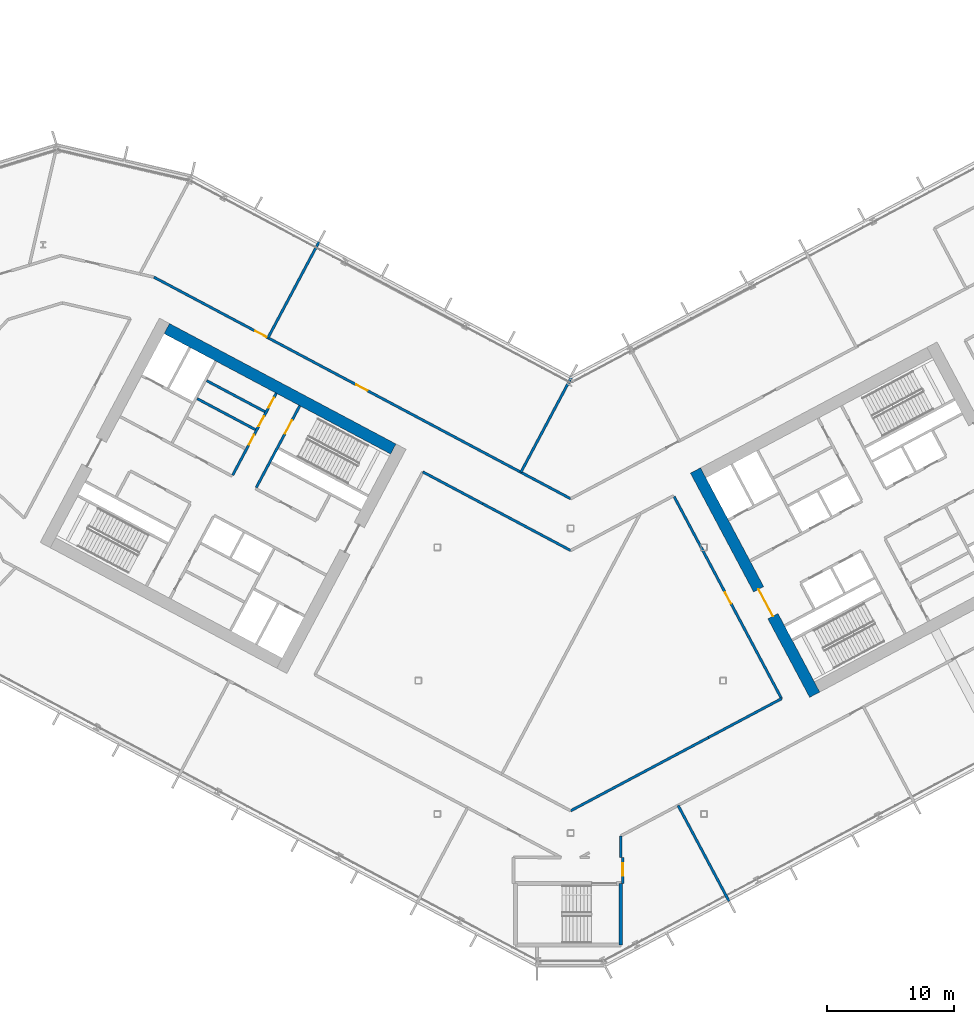
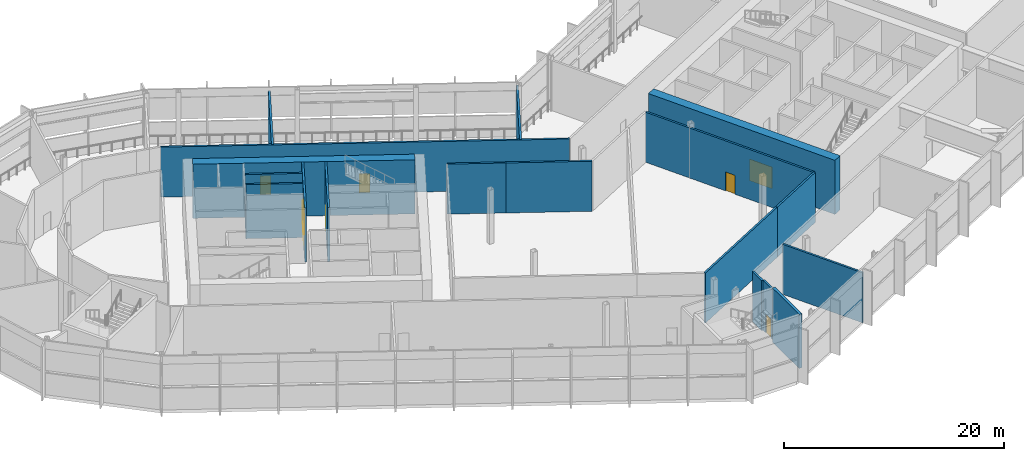
# One storey, part 14 of 33: 18 walls, 9 doors, 9 openings.
"""IFC4 building model written with IfcOpenShell, lengths in metres."""

from ifc_helpers import new_model, si_unit, direction, frame, frame_2d, origin, place, context, subcontext, project, spatial, rectangle, extrude, material, layer, layer_set, type_object, element, fill, save


model = new_model("IFC4")

# Units and contexts
model_context = context("Model", 3, precision=1e-05, world=origin(), true_north=direction((0.0, 1.0)))
body_context = subcontext(model_context, "Body", "Model", "MODEL_VIEW")
ifc_project = project(units=[si_unit("LENGTHUNIT", "METRE"), si_unit("AREAUNIT", "SQUARE_METRE"), si_unit("VOLUMEUNIT", "CUBIC_METRE"), si_unit("PLANEANGLEUNIT", "RADIAN"), si_unit("MASSUNIT", "GRAM", prefix="KILO")], contexts=[model_context])

# Site, building, storey
site_placement = place(None, origin())
site = spatial("IfcSite", under=ifc_project, at=site_placement, CompositionType="ELEMENT")
building_placement = place(site_placement, origin())
building = spatial("IfcBuilding", under=site, at=building_placement, Name="Cormorant Relay Tower", CompositionType="ELEMENT")
storey_placement = place(building_placement, frame((0.0, 0.0, 112.199951171875)))
storey = spatial("IfcBuildingStorey", under=building, at=storey_placement, Name="L22", CompositionType="ELEMENT", Elevation=112.199951171875)

# Walls
ifc_material_1 = material(Name="Concrete 40 MPa", Category="concrete")
ifc_layer_1 = layer(ifc_material_1, 0.199951171875)
ifc_layer_set_1 = layer_set([ifc_layer_1], Name="Core internal wall 200")
wall_type_1 = type_object("IfcWallType", Name="Core internal wall 200", PredefinedType="SOLIDWALL", material=ifc_layer_set_1)
for number, where, z_axis, x_axis, name in (
    (1, (-24.073974609375, 21.181396484375, 0.0), (0.0, 0.0, 1.0), (-0.882953967957, 0.469459572775, 0.0), "L22 core A shaft and room wall"),
    (2, (-24.824951171875, 19.7685546875, 0.0), (0.0, 0.0, 1.0), (-0.882934506056, 0.469496174655, 0.0), "L22 core A shaft and room wall"),
):
    element("IfcWall", number, at=place(storey_placement, frame(where, z_axis=z_axis, x_axis=x_axis)), inside=storey, type_object=wall_type_1, Name=name, PredefinedType="SOLIDWALL", context=body_context, shape_type="SweptSolid", body=[
        extrude(rectangle(XDim=5.199951171875, YDim=0.199951171875, at=frame_2d((2.60009765625, 0.0))), origin(), (0.0, 0.0, 1.0), 6.0),
    ])

# Wall, opening, door
ifc_material_2 = material(Name="Concrete 50 MPa", Category="concrete")
ifc_layer_2 = layer(ifc_material_2, 0.199951171875)
ifc_layer_set_2 = layer_set([ifc_layer_2], Name="Core shaft wall 200")
wall_type_2 = type_object("IfcWallType", Name="Core shaft wall 200", PredefinedType="SHEAR", material=ifc_layer_set_2)
wall_1_placement = place(storey_placement, frame((-21.333251953125, 21.6494140625, 0.0), z_axis=(0.0, 0.0, 1.0), x_axis=(-0.469494272526, -0.882935517501, 0.0)))
wall_1 = element("IfcWall", 3, at=wall_1_placement, inside=storey, type_object=wall_type_2, Name="L22 core A shaft wall", PredefinedType="SHEAR", context=body_context, shape_type="SweptSolid", body=[
    extrude(rectangle(XDim=7.2998046875, YDim=0.199951171875, at=frame_2d((3.64990234375, 0.0))), origin(), (0.0, 0.0, 1.0), 6.0),
])
opening_1_placement = place(wall_1_placement, frame((1.300048828125, 0.0, 0.0)))
opening_1 = element("IfcOpeningElement", 4, at=opening_1_placement, cuts=wall_1, Name="Opening CDB-029", PredefinedType="OPENING", context=body_context, shape_type="SweptSolid", body=[
    extrude(rectangle(XDim=1.199951171875, YDim=2.10009765625, at=frame_2d((0.60009765625, 1.050048828125))), frame((0.0, 0.10986328125, 0.0), z_axis=(0.0, -1.0, 0.0), x_axis=(1.0, 0.0, 0.0)), (0.0, 0.0, 1.0), 0.219970703125),
])
ifc_material_3 = material(Name="Steel fire door", Category="steel")
door_type_1 = type_object("IfcDoorType", Name="Core stair door 1200x2100", OperationType="SINGLE_SWING_LEFT", PredefinedType="DOOR", material=ifc_material_3)
door_1_placement = place(opening_1_placement, origin())
door_1 = element("IfcDoor", 5, at=door_1_placement, inside=storey, type_object=door_type_1, Name="Core stair door 1200x2100", OperationType="SINGLE_SWING_RIGHT", OverallHeight=2.10009765625, OverallWidth=1.199951171875, PredefinedType="DOOR", context=body_context, shape_type="SweptSolid", body=[
    extrude(rectangle(XDim=1.199951171875, YDim=2.10009765625, at=frame_2d((0.60009765625, 1.050048828125))), frame((0.0, 0.02490234375, 0.0), z_axis=(0.0, -1.0, 0.0), x_axis=(1.0, 0.0, 0.0)), (0.0, 0.0, 1.0), 0.050048828125),
])
fill(opening_1, door_1)

# Wall, openings, doors
wall_2_placement = place(storey_placement, frame((-23.1875, 22.635498046875, 0.0), z_axis=(0.0, 0.0, 1.0), x_axis=(-0.469454336211, -0.882956752176, 0.0)))
wall_2 = element("IfcWall", 6, at=wall_2_placement, inside=storey, type_object=wall_type_2, Name="L22 core A shaft wall", PredefinedType="SHEAR", context=body_context, shape_type="SweptSolid", body=[
    extrude(rectangle(XDim=7.300048828125, YDim=0.199951171875, at=frame_2d((3.64990234375, 0.0))), origin(), (0.0, 0.0, 1.0), 6.0),
])
opening_2_placement = place(wall_2_placement, frame((0.39990234375, 0.0, 0.0)))
opening_2 = element("IfcOpeningElement", 7, at=opening_2_placement, cuts=wall_2, Name="Opening CDD-157", PredefinedType="OPENING", context=body_context, shape_type="SweptSolid", body=[
    extrude(rectangle(XDim=0.89990234375, YDim=2.10009765625, at=frame_2d((0.449951171875, 1.050048828125))), frame((0.0, 0.10986328125, 0.0), z_axis=(0.0, -1.0, 0.0), x_axis=(1.0, 0.0, 0.0)), (0.0, 0.0, 1.0), 0.219970703125),
])
opening_3_placement = place(wall_2_placement, frame((2.050048828125, 0.0, 0.0)))
opening_3 = element("IfcOpeningElement", 8, at=opening_3_placement, cuts=wall_2, Name="Opening CDD-158", PredefinedType="OPENING", context=body_context, shape_type="SweptSolid", body=[
    extrude(rectangle(XDim=0.89990234375, YDim=2.10009765625, at=frame_2d((0.449951171875, 1.050048828125))), frame((0.0, 0.10986328125, 0.0), z_axis=(0.0, -1.0, 0.0), x_axis=(1.0, 0.0, 0.0)), (0.0, 0.0, 1.0), 0.219970703125),
])
opening_4_placement = place(wall_2_placement, frame((3.699951171875, 0.0, 0.0)))
opening_4 = element("IfcOpeningElement", 9, at=opening_4_placement, cuts=wall_2, Name="Opening CDD-159", PredefinedType="OPENING", context=body_context, shape_type="SweptSolid", body=[
    extrude(rectangle(XDim=0.89990234375, YDim=2.10009765625, at=frame_2d((0.449951171875, 1.050048828125))), frame((0.0, 0.10986328125, 0.0), z_axis=(0.0, -1.0, 0.0), x_axis=(1.0, 0.0, 0.0)), (0.0, 0.0, 1.0), 0.219970703125),
])
ifc_material_4 = material(Name="Steel fire door", Category="steel")
door_type_2 = type_object("IfcDoorType", Name="Core room door 900x2100", OperationType="SINGLE_SWING_LEFT", PredefinedType="DOOR", material=ifc_material_4)
door_2_placement = place(opening_2_placement, origin())
door_2 = element("IfcDoor", 10, at=door_2_placement, inside=storey, type_object=door_type_2, Name="Core room door 900x2100", OperationType="SINGLE_SWING_LEFT", OverallHeight=2.10009765625, OverallWidth=0.89990234375, PredefinedType="DOOR", context=body_context, shape_type="SweptSolid", body=[
    extrude(rectangle(XDim=0.89990234375, YDim=2.10009765625, at=frame_2d((0.449951171875, 1.050048828125))), frame((0.0, 0.02490234375, 0.0), z_axis=(0.0, -1.0, 0.0), x_axis=(1.0, 0.0, 0.0)), (0.0, 0.0, 1.0), 0.050048828125),
])
fill(opening_2, door_2)
door_3_placement = place(opening_3_placement, origin())
door_3 = element("IfcDoor", 11, at=door_3_placement, inside=storey, type_object=door_type_2, Name="Core room door 900x2100", OperationType="SINGLE_SWING_LEFT", OverallHeight=2.10009765625, OverallWidth=0.89990234375, PredefinedType="DOOR", context=body_context, shape_type="SweptSolid", body=[
    extrude(rectangle(XDim=0.89990234375, YDim=2.10009765625, at=frame_2d((0.449951171875, 1.050048828125))), frame((0.0, 0.02490234375, 0.0), z_axis=(0.0, -1.0, 0.0), x_axis=(1.0, 0.0, 0.0)), (0.0, 0.0, 1.0), 0.050048828125),
])
fill(opening_3, door_3)
door_4_placement = place(opening_4_placement, origin())
door_4 = element("IfcDoor", 12, at=door_4_placement, inside=storey, type_object=door_type_2, Name="Core room door 900x2100", OperationType="SINGLE_SWING_LEFT", OverallHeight=2.10009765625, OverallWidth=0.89990234375, PredefinedType="DOOR", context=body_context, shape_type="SweptSolid", body=[
    extrude(rectangle(XDim=0.89990234375, YDim=2.10009765625, at=frame_2d((0.449951171875, 1.050048828125))), frame((0.0, 0.02490234375, 0.0), z_axis=(0.0, -1.0, 0.0), x_axis=(1.0, 0.0, 0.0)), (0.0, 0.0, 1.0), 0.050048828125),
])
fill(opening_4, door_4)

# Wall
ifc_material_5 = material(Name="Concrete 70 MPa", Category="concrete")
ifc_layer_3 = layer(ifc_material_5, 0.89990234375)
ifc_layer_set_3 = layer_set([ifc_layer_3], Name="Core wall 900")
wall_type_3 = type_object("IfcWallType", Name="Core wall 900", PredefinedType="SHEAR", material=ifc_layer_set_3)
wall_3_placement = place(storey_placement, frame((-13.97021484375, 18.244140625, 0.0), z_axis=(0.0, 0.0, 1.0), x_axis=(-0.88294509198, 0.469476266226, 0.0)))
element("IfcWall", 13, at=wall_3_placement, inside=storey, type_object=wall_type_3, Name="L22 core A wall", PredefinedType="SHEAR", context=body_context, shape_type="SweptSolid", body=[
    extrude(rectangle(XDim=20.199951171875, YDim=0.89990234375, at=frame_2d((10.10009765625, 0.0))), origin(), (0.0, 0.0, 1.0), 6.0),
])

# Wall, opening, door
wall_4_placement = place(storey_placement, frame((19.21923828125, -1.106689453125, 0.0), z_axis=(0.0, 0.0, 1.0), x_axis=(-0.46947084998, 0.882947971864, 0.0)))
wall_4 = element("IfcWall", 14, at=wall_4_placement, inside=storey, type_object=wall_type_3, Name="L22 core B wall", PredefinedType="SHEAR", context=body_context, shape_type="SweptSolid", body=[
    extrude(rectangle(XDim=20.0, YDim=0.89990234375, at=frame_2d((10.0, 0.0))), origin(), (0.0, 0.0, 1.0), 6.0),
])
opening_5_placement = place(wall_4_placement, frame((7.0, 0.0, 0.0)))
opening_5 = element("IfcOpeningElement", 15, at=opening_5_placement, cuts=wall_4, Name="Opening CDA-024", PredefinedType="OPENING", context=body_context, shape_type="SweptSolid", body=[
    extrude(rectangle(XDim=2.39990234375, YDim=2.39990234375, at=frame_2d((1.199951171875, 1.199951171875))), frame((0.0, 0.4599609375, 0.0), z_axis=(0.0, -1.0, 0.0), x_axis=(1.0, 0.0, 0.0)), (0.0, 0.0, 1.0), 0.919921875),
])
ifc_material_6 = material(Name="Steel fire door", Category="steel")
door_type_3 = type_object("IfcDoorType", Name="Core lobby door 2400x2400", OperationType="DOUBLE_DOOR_SINGLE_SWING", PredefinedType="DOOR", material=ifc_material_6)
door_5_placement = place(opening_5_placement, frame((2.39990234375, 0.0, 0.0), z_axis=(0.0, 0.0, 1.0), x_axis=(-1.0, 0.0, 0.0)))
door_5 = element("IfcDoor", 16, at=door_5_placement, inside=storey, type_object=door_type_3, Name="Core lobby door 2400x2400", OperationType="DOUBLE_DOOR_SINGLE_SWING", OverallHeight=2.39990234375, OverallWidth=2.39990234375, PredefinedType="DOOR", context=body_context, shape_type="SweptSolid", body=[
    extrude(rectangle(XDim=2.39990234375, YDim=2.39990234375, at=frame_2d((1.199951171875, 1.199951171875))), frame((0.0, 0.02490234375, 0.0), z_axis=(0.0, -1.0, 0.0), x_axis=(1.0, 0.0, 0.0)), (0.0, 0.0, 1.0), 0.050048828125),
])
fill(opening_5, door_5)

# Wall, openings, doors
ifc_material_7 = material(Name="Fire-rated gypsum board partition")
ifc_layer_4 = layer(ifc_material_7, 0.199951171875)
ifc_layer_set_4 = layer_set([ifc_layer_4], Name="Fire-rated gypsum partition 200")
wall_type_4 = type_object("IfcWallType", Name="Fire-rated gypsum partition 200", PredefinedType="PARTITIONING", material=ifc_layer_set_4)
wall_5_placement = place(storey_placement, frame((-32.822998046875, 31.779052734375, 0.0), z_axis=(0.0, 0.0, 1.0), x_axis=(0.88294925653, -0.469468433863, 0.0)))
wall_5 = element("IfcWall", 17, at=wall_5_placement, inside=storey, type_object=wall_type_4, Name="wall/L22/part/34", PredefinedType="PARTITIONING", context=body_context, shape_type="SweptSolid", body=[
    extrude(rectangle(XDim=37.17431640625, YDim=0.199951171875, at=frame_2d((18.587158203125, 0.0))), origin(), (0.0, 0.0, 1.0), 5.550048828125),
])
opening_6_placement = place(wall_5_placement, frame((18.050048828125, 0.0, 0.0)))
opening_6 = element("IfcOpeningElement", 18, at=opening_6_placement, cuts=wall_5, Name="Opening FD1-132", PredefinedType="OPENING", context=body_context, shape_type="SweptSolid", body=[
    extrude(rectangle(XDim=1.0, YDim=2.10009765625, at=frame_2d((0.5, 1.050048828125))), frame((0.0, 0.10986328125, 0.0), z_axis=(0.0, -1.0, 0.0), x_axis=(1.0, 0.0, 0.0)), (0.0, 0.0, 1.0), 0.219970703125),
])
opening_7_placement = place(wall_5_placement, frame((9.050048828125, 0.0, 0.0)))
opening_7 = element("IfcOpeningElement", 19, at=opening_7_placement, cuts=wall_5, Name="Opening FD1-133", PredefinedType="OPENING", context=body_context, shape_type="SweptSolid", body=[
    extrude(rectangle(XDim=1.0, YDim=2.10009765625, at=frame_2d((0.5, 1.050048828125))), frame((0.0, 0.10986328125, 0.0), z_axis=(0.0, -1.0, 0.0), x_axis=(1.0, 0.0, 0.0)), (0.0, 0.0, 1.0), 0.219970703125),
])
ifc_material_8 = material(Name="Fire-rated steel door", Category="steel")
door_type_4 = type_object("IfcDoorType", Name="Fire door 1000 x 2100", OperationType="SINGLE_SWING_LEFT", PredefinedType="DOOR", material=ifc_material_8)
door_6_placement = place(opening_6_placement, origin())
door_6 = element("IfcDoor", 20, at=door_6_placement, inside=storey, type_object=door_type_4, Name="door/L22/13", OperationType="SINGLE_SWING_RIGHT", OverallHeight=2.10009765625, OverallWidth=1.0, PredefinedType="DOOR", context=body_context, shape_type="SweptSolid", body=[
    extrude(rectangle(XDim=1.0, YDim=2.10009765625, at=frame_2d((0.5, 1.050048828125))), frame((0.0, 0.02490234375, 0.0), z_axis=(0.0, -1.0, 0.0), x_axis=(1.0, 0.0, 0.0)), (0.0, 0.0, 1.0), 0.050048828125),
])
fill(opening_6, door_6)
door_7_placement = place(opening_7_placement, origin())
door_7 = element("IfcDoor", 21, at=door_7_placement, inside=storey, type_object=door_type_4, Name="door/L22/14", OperationType="SINGLE_SWING_RIGHT", OverallHeight=2.10009765625, OverallWidth=1.0, PredefinedType="DOOR", context=body_context, shape_type="SweptSolid", body=[
    extrude(rectangle(XDim=1.0, YDim=2.10009765625, at=frame_2d((0.5, 1.050048828125))), frame((0.0, 0.02490234375, 0.0), z_axis=(0.0, -1.0, 0.0), x_axis=(1.0, 0.0, 0.0)), (0.0, 0.0, 1.0), 0.050048828125),
])
fill(opening_7, door_7)

# Walls
wall_6_placement = place(storey_placement, frame((-19.822021484375, 34.550048828125, 0.0), z_axis=(0.0, 0.0, 1.0), x_axis=(-0.469471844694, -0.882947442965, 0.0)))
element("IfcWall", 22, at=wall_6_placement, inside=storey, type_object=wall_type_4, Name="wall/L22/part/36", PredefinedType="PARTITIONING", context=body_context, shape_type="SweptSolid", body=[
    extrude(rectangle(XDim=8.5498046875, YDim=0.199951171875, at=frame_2d((4.27490234375, 0.0))), origin(), (0.0, 0.0, 1.0), 5.550048828125),
])
wall_7_placement = place(storey_placement, frame((-11.64404296875, 16.44091796875, 0.0), z_axis=(0.0, 0.0, 1.0), x_axis=(0.882949196505, -0.469468546753, 0.0)))
element("IfcWall", 23, at=wall_7_placement, inside=storey, type_object=wall_type_4, Name="wall/L22/part/39", PredefinedType="PARTITIONING", context=body_context, shape_type="SweptSolid", body=[
    extrude(rectangle(XDim=5.354736328125, YDim=0.199951171875, at=frame_2d((2.67724609375, 0.0))), origin(), (0.0, 0.0, 1.0), 5.550048828125),
])
wall_8_placement = place(storey_placement, frame((0.10498046875, 23.98388671875, 0.0), z_axis=(0.0, 0.0, 1.0), x_axis=(-0.469314098299, -0.883031300203, 0.0)))
element("IfcWall", 24, at=wall_8_placement, inside=storey, type_object=wall_type_4, Name="wall/L22/part/41", PredefinedType="PARTITIONING", context=body_context, shape_type="SweptSolid", body=[
    extrude(rectangle(XDim=8.576171875, YDim=0.199951171875, at=frame_2d((4.2880859375, 0.0))), origin(), (0.0, 0.0, 1.0), 5.550048828125),
])
wall_9_placement = place(storey_placement, frame((0.0, 10.25, 0.0), z_axis=(0.0, 0.0, 1.0), x_axis=(-0.882963933612, 0.469440829008, 0.0)))
element("IfcWall", 25, at=wall_9_placement, inside=storey, type_object=wall_type_4, Name="wall/L22/part/45", PredefinedType="PARTITIONING", context=body_context, shape_type="SweptSolid", body=[
    extrude(rectangle(XDim=7.832763671875, YDim=0.199951171875, at=frame_2d((3.91650390625, 0.0))), origin(), (0.0, 0.0, 1.0), 5.550048828125),
])
wall_10_placement = place(storey_placement, frame((10.861083984375, -4.47509765625, 0.0), z_axis=(0.0, 0.0, 1.0), x_axis=(-0.882948888511, -0.469469126011, 0.0)))
element("IfcWall", 26, at=wall_10_placement, inside=storey, type_object=wall_type_4, Name="wall/L22/part/46", PredefinedType="PARTITIONING", context=body_context, shape_type="SweptSolid", body=[
    extrude(rectangle(XDim=12.301025390625, YDim=0.199951171875, at=frame_2d((6.150390625, 0.0))), origin(), (0.0, 0.0, 1.0), 5.550048828125),
])

# Wall, opening, door
wall_11_placement = place(storey_placement, frame((4.10009765625, -13.925048828125, 0.0), z_axis=(0.0, 0.0, 1.0), x_axis=(0.0, -1.0, 0.0)))
wall_11 = element("IfcWall", 27, at=wall_11_placement, inside=storey, type_object=wall_type_4, Name="wall/L22/part/52", PredefinedType="PARTITIONING", context=body_context, shape_type="SweptSolid", body=[
    extrude(rectangle(XDim=2.050048828125, YDim=0.199951171875, at=frame_2d((1.02490234375, 0.0))), origin(), (0.0, 0.0, 1.0), 5.550048828125),
])
opening_8_placement = place(wall_11_placement, frame((0.449951171875, 0.0, 0.0)))
opening_8 = element("IfcOpeningElement", 28, at=opening_8_placement, cuts=wall_11, Name="Opening FD1-145", PredefinedType="OPENING", context=body_context, shape_type="SweptSolid", body=[
    extrude(rectangle(XDim=1.0, YDim=2.10009765625, at=frame_2d((0.5, 1.050048828125))), frame((0.0, 0.10986328125, 0.0), z_axis=(0.0, -1.0, 0.0), x_axis=(1.0, 0.0, 0.0)), (0.0, 0.0, 1.0), 0.219970703125),
])
door_8_placement = place(opening_8_placement, origin())
door_8 = element("IfcDoor", 29, at=door_8_placement, inside=storey, type_object=door_type_4, Name="door/L22/4", OperationType="SINGLE_SWING_LEFT", OverallHeight=2.10009765625, OverallWidth=1.0, PredefinedType="DOOR", context=body_context, shape_type="SweptSolid", body=[
    extrude(rectangle(XDim=1.0, YDim=2.10009765625, at=frame_2d((0.5, 1.050048828125))), frame((0.0, 0.02490234375, 0.0), z_axis=(0.0, -1.0, 0.0), x_axis=(1.0, 0.0, 0.0)), (0.0, 0.0, 1.0), 0.050048828125),
])
fill(opening_8, door_8)

# Walls
wall_12_placement = place(storey_placement, frame((3.949951171875, -13.925048828125, 0.0), z_axis=(0.0, 0.0, 1.0), x_axis=(0.0, 1.0, 0.0)))
element("IfcWall", 30, at=wall_12_placement, inside=storey, type_object=wall_type_4, Name="wall/L22/part/53", PredefinedType="PARTITIONING", context=body_context, shape_type="SweptSolid", body=[
    extrude(rectangle(XDim=1.697998046875, YDim=0.199951171875, at=frame_2d((0.84912109375, 0.0))), origin(), (0.0, 0.0, 1.0), 5.550048828125),
])
wall_13_placement = place(storey_placement, frame((8.4619140625, -9.827880859375, 0.0), z_axis=(0.0, 0.0, 1.0), x_axis=(0.469494105573, -0.882935606277, 0.0)))
element("IfcWall", 31, at=wall_13_placement, inside=storey, type_object=wall_type_4, Name="wall/L22/part/54", PredefinedType="PARTITIONING", context=body_context, shape_type="SweptSolid", body=[
    extrude(rectangle(XDim=8.550048828125, YDim=0.199951171875, at=frame_2d((4.27490234375, 0.0))), origin(), (0.0, 0.0, 1.0), 5.550048828125),
])

# Wall, opening, door
wall_14_placement = place(storey_placement, frame((8.14794921875, 14.49609375, 0.0), z_axis=(0.0, 0.0, 1.0), x_axis=(0.469493235768, -0.882936068789, 0.0)))
wall_14 = element("IfcWall", 32, at=wall_14_placement, inside=storey, type_object=wall_type_4, Name="wall/L22/part/58", PredefinedType="PARTITIONING", context=body_context, shape_type="SweptSolid", body=[
    extrude(rectangle(XDim=18.02392578125, YDim=0.199951171875, at=frame_2d((9.011962890625, 0.0))), origin(), (0.0, 0.0, 1.0), 5.550048828125),
])
opening_9_placement = place(wall_14_placement, frame((8.550048828125, 0.0, 0.0)))
opening_9 = element("IfcOpeningElement", 33, at=opening_9_placement, cuts=wall_14, Name="Opening FD1-139", PredefinedType="OPENING", context=body_context, shape_type="SweptSolid", body=[
    extrude(rectangle(XDim=1.0, YDim=2.10009765625, at=frame_2d((0.5, 1.050048828125))), frame((0.0, 0.10986328125, 0.0), z_axis=(0.0, -1.0, 0.0), x_axis=(1.0, 0.0, 0.0)), (0.0, 0.0, 1.0), 0.219970703125),
])
door_9_placement = place(opening_9_placement, frame((1.0, 0.0, 0.0), z_axis=(0.0, 0.0, 1.0), x_axis=(-1.0, 0.0, 0.0)))
door_9 = element("IfcDoor", 34, at=door_9_placement, inside=storey, type_object=door_type_4, Name="door/L22/2", OperationType="SINGLE_SWING_RIGHT", OverallHeight=2.10009765625, OverallWidth=1.0, PredefinedType="DOOR", context=body_context, shape_type="SweptSolid", body=[
    extrude(rectangle(XDim=1.0, YDim=2.10009765625, at=frame_2d((0.5, 1.050048828125))), frame((0.0, 0.02490234375, 0.0), z_axis=(0.0, -1.0, 0.0), x_axis=(1.0, 0.0, 0.0)), (0.0, 0.0, 1.0), 0.050048828125),
])
fill(opening_9, door_9)

# Walls
wall_15_placement = place(storey_placement, frame((16.610107421875, -1.41796875, 0.0), z_axis=(0.0, 0.0, 1.0), x_axis=(-0.882927289084, -0.469509746641, 0.0)))
element("IfcWall", 35, at=wall_15_placement, inside=storey, type_object=wall_type_4, Name="wall/L22/part/59", PredefinedType="PARTITIONING", context=body_context, shape_type="SweptSolid", body=[
    extrude(rectangle(XDim=6.51123046875, YDim=0.199951171875, at=frame_2d((3.255615234375, 0.0))), origin(), (0.0, 0.0, 1.0), 5.550048828125),
])
ifc_material_9 = material(Name="Concrete 50 MPa", Category="concrete")
ifc_layer_5 = layer(ifc_material_9, 0.300048828125)
ifc_layer_set_5 = layer_set([ifc_layer_5], Name="Remote stair wall 300")
wall_type_5 = type_object("IfcWallType", Name="Remote stair wall 300", PredefinedType="SHEAR", material=ifc_layer_set_5)
wall_16_placement = place(storey_placement, frame((3.949951171875, -15.97509765625, 0.0), z_axis=(0.0, 0.0, 1.0), x_axis=(0.0, -1.0, 0.0)))
element("IfcWall", 36, at=wall_16_placement, inside=storey, type_object=wall_type_5, Name="L22 exit stair RK1 wall", PredefinedType="SHEAR", context=body_context, shape_type="SweptSolid", body=[
    extrude(rectangle(XDim=4.849853515625, YDim=0.300048828125, at=frame_2d((2.4248046875, 0.0))), origin(), (0.0, 0.0, 1.0), 6.0),
])

save(model, "model.ifc")
